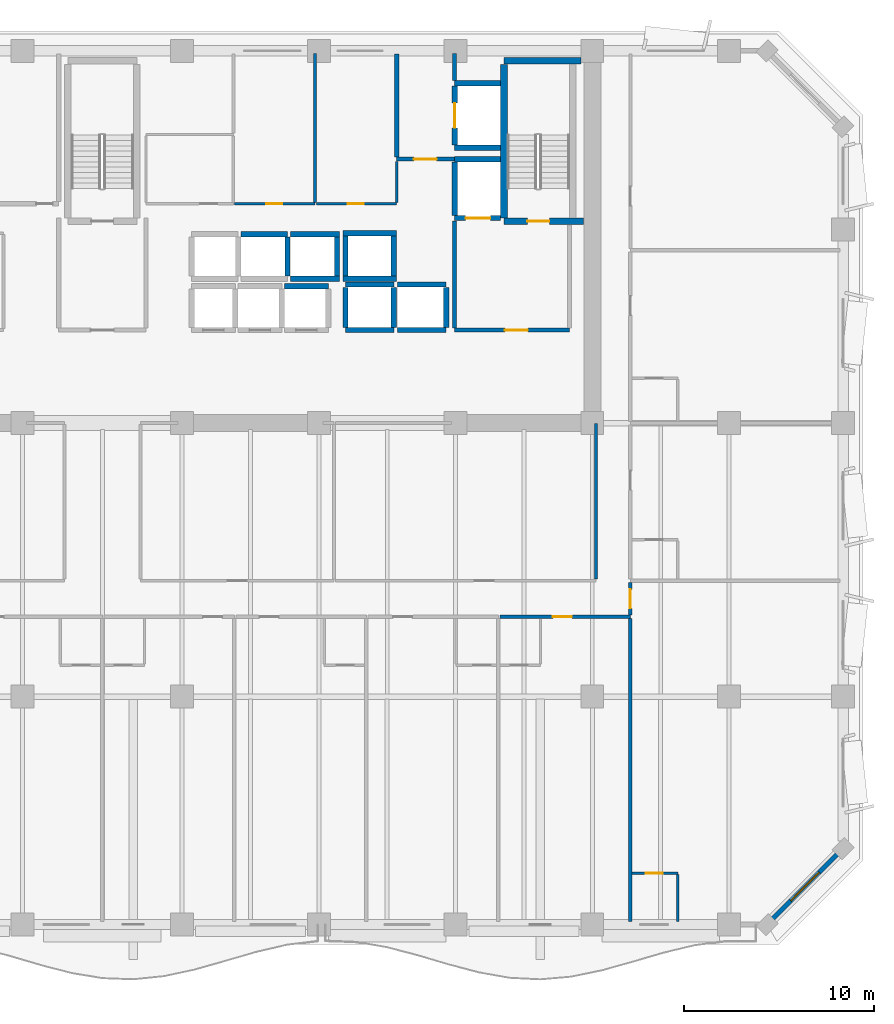
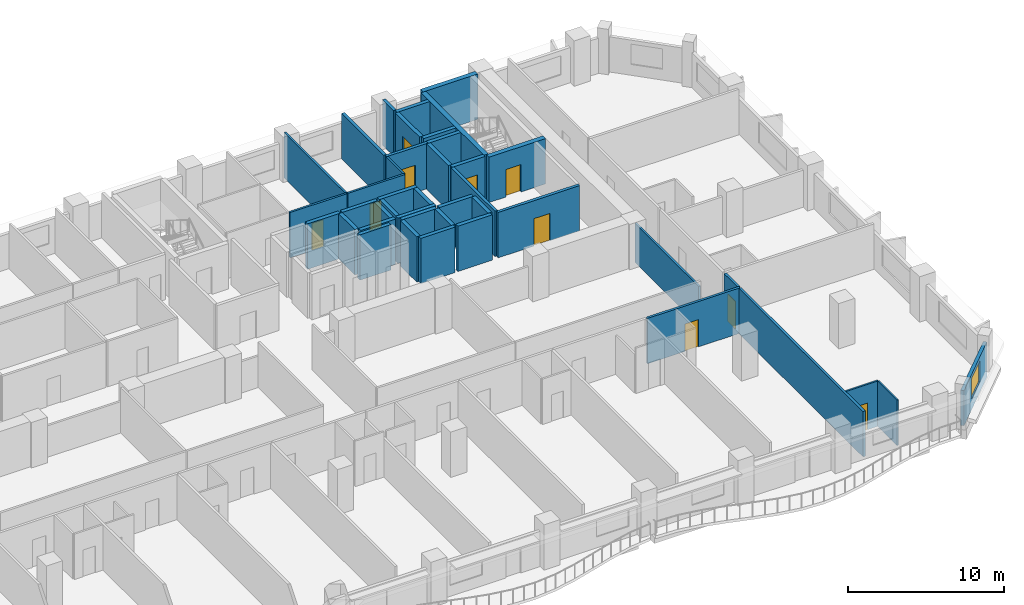
# One storey, part 8 of 14: 42 walls, 10 doors, 1 window, 11 openings.
"""IFC4 building model written with IfcOpenShell, lengths in metres."""

from ifc_helpers import new_model, si_unit, direction, frame, frame_2d, origin, place, context, subcontext, project, spatial, rectangle, extrude, material, layer, layer_set, type_object, element, fill, save


model = new_model("IFC4")

# Units and contexts
model_context = context("Model", 3, precision=1e-05, world=origin(), true_north=direction((0.0, 1.0)))
body_context = subcontext(model_context, "Body", "Model", "MODEL_VIEW")
ifc_project = project(units=[si_unit("LENGTHUNIT", "METRE"), si_unit("AREAUNIT", "SQUARE_METRE"), si_unit("VOLUMEUNIT", "CUBIC_METRE"), si_unit("PLANEANGLEUNIT", "RADIAN"), si_unit("MASSUNIT", "GRAM", prefix="KILO")], contexts=[model_context])

# Site, building, storey
site_placement = place(None, origin())
site = spatial("IfcSite", under=ifc_project, at=site_placement, CompositionType="ELEMENT")
building_placement = place(site_placement, origin())
building = spatial("IfcBuilding", under=site, at=building_placement, Name="Kaelvorn Grand Hotel", CompositionType="ELEMENT")
storey_placement = place(building_placement, frame((0.0, 0.0, 169.550048828125)))
storey = spatial("IfcBuildingStorey", under=building, at=storey_placement, Name="L41", CompositionType="ELEMENT", Elevation=169.550048828125)

# Wall, opening, window
ifc_material_1 = material(Name="Concrete C40/50", Category="concrete")
ifc_layer_1 = layer(ifc_material_1, 0.239990234375)
ifc_layer_set_1 = layer_set([ifc_layer_1], Name="Concrete C40/50")
wall_type_1 = type_object("IfcWallType", Name="WL-EXT-240-C40", PredefinedType="SOLIDWALL", material=ifc_layer_set_1)
wall_1_placement = place(storey_placement, frame((77.0, 3.0, 0.0), z_axis=(0.0, 0.0, 1.0), x_axis=(0.707106781187, 0.707106781187, 0.0)))
wall_1 = element("IfcWall", 1, at=wall_1_placement, inside=storey, type_object=wall_type_1, Name="L41 Exterior Architectural Concrete Wall 02", PredefinedType="SOLIDWALL", context=body_context, shape_type="SweptSolid", body=[
    extrude(rectangle(XDim=5.65673828125, YDim=0.239990234375, at=frame_2d((2.828369140625, 0.0))), origin(), (0.0, 0.0, 1.0), 2.760009765625),
])
opening_1_placement = place(wall_1_placement, frame((1.7783203125, 0.0, 0.85009765625)))
opening_1 = element("IfcOpeningElement", 2, at=opening_1_placement, cuts=wall_1, Name="Opening W7", PredefinedType="OPENING", context=body_context, shape_type="SweptSolid", body=[
    extrude(rectangle(XDim=2.10009765625, YDim=1.60009765625, at=frame_2d((1.050048828125, 0.800048828125))), frame((0.0, 0.1298828125, 0.0), z_axis=(0.0, -1.0, 0.0), x_axis=(1.0, 0.0, 0.0)), (0.0, 0.0, 1.0), 0.260009765625),
])
ifc_material_2 = material(Name="Laminated Low-E Glass", Category="glass")
window_type = type_object("IfcWindowType", Name="WIN-CHM-2100x1600", PartitioningType="SINGLE_PANEL", PredefinedType="WINDOW", material=ifc_material_2)
window_placement = place(opening_1_placement, origin())
window = element("IfcWindow", 3, at=window_placement, inside=storey, type_object=window_type, Name="L41 Chamfered 45-Degree Corner Window SE", OverallHeight=1.60009765625, OverallWidth=2.10009765625, PartitioningType="SINGLE_PANEL", PredefinedType="WINDOW", context=body_context, shape_type="SweptSolid", body=[
    extrude(rectangle(XDim=2.10009765625, YDim=1.60009765625, at=frame_2d((1.050048828125, 0.800048828125))), frame((0.0, 0.030029296875, 0.0), z_axis=(0.0, -1.0, 0.0), x_axis=(1.0, 0.0, 0.0)), (0.0, 0.0, 1.0), 0.06005859375),
])
fill(opening_1, window)

# Wall, opening, door
ifc_material_3 = material(Name="Moisture-Resistant Tile & Stud Board")
ifc_layer_2 = layer(ifc_material_3, 0.125)
ifc_layer_set_2 = layer_set([ifc_layer_2], Name="Moisture-Resistant Tile & Stud Board")
wall_type_2 = type_object("IfcWallType", Name="WL-PART-125-WET", PredefinedType="PARTITIONING", material=ifc_layer_set_2)
wall_2_placement = place(storey_placement, frame((69.89501953125, 5.699951171875, 0.0), z_axis=(0.0, 0.0, 1.0), x_axis=(1.0, 0.0, 0.0)))
wall_2 = element("IfcWall", 4, at=wall_2_placement, inside=storey, type_object=wall_type_2, Name="L41 En-suite Bathroom L41-11 N Partition", PredefinedType="PARTITIONING", context=body_context, shape_type="SweptSolid", body=[
    extrude(rectangle(XDim=2.405029296875, YDim=0.125, at=frame_2d((1.20263671875, 0.0))), origin(), (0.0, 0.0, 1.0), 3.56005859375),
])
opening_2_placement = place(wall_2_placement, frame((0.705078125, 0.0, 0.0)))
opening_2 = element("IfcOpeningElement", 5, at=opening_2_placement, cuts=wall_2, Name="Opening DI4", PredefinedType="OPENING", context=body_context, shape_type="SweptSolid", body=[
    extrude(rectangle(XDim=0.89990234375, YDim=2.10009765625, at=frame_2d((0.449951171875, 1.050048828125))), frame((0.0, 0.072509765625, 0.0), z_axis=(0.0, -1.0, 0.0), x_axis=(1.0, 0.0, 0.0)), (0.0, 0.0, 1.0), 0.14501953125),
])
ifc_material_4 = material(Name="Timber Veneer Leaf", Category="wood")
door_type_1 = type_object("IfcDoorType", Name="DR-INT-BATH-900x2100", OperationType="NOTDEFINED", PredefinedType="DOOR", material=ifc_material_4)
door_1_placement = place(opening_2_placement, origin())
door_1 = element("IfcDoor", 6, at=door_1_placement, inside=storey, type_object=door_type_1, Name="L41 En-suite Bathroom L41-11 Door", OperationType="SINGLE_SWING_RIGHT", OverallHeight=2.10009765625, OverallWidth=0.89990234375, PredefinedType="DOOR", context=body_context, shape_type="SweptSolid", body=[
    extrude(rectangle(XDim=0.89990234375, YDim=2.10009765625, at=frame_2d((0.449951171875, 1.050048828125))), frame((0.0, 0.02490234375, 0.0), z_axis=(0.0, -1.0, 0.0), x_axis=(1.0, 0.0, 0.0)), (0.0, 0.0, 1.0), 0.050048828125),
])
fill(opening_2, door_1)

# Wall
wall_3_placement = place(storey_placement, frame((72.300048828125, 3.14990234375, 0.0), z_axis=(0.0, 0.0, 1.0), x_axis=(0.0, 1.0, 0.0)))
element("IfcWall", 7, at=wall_3_placement, inside=storey, type_object=wall_type_2, Name="L41 En-suite Bathroom L41-11 E Partition", PredefinedType="PARTITIONING", context=body_context, shape_type="SweptSolid", body=[
    extrude(rectangle(XDim=2.482666015625, YDim=0.125, at=frame_2d((1.2412109375, 0.0))), origin(), (0.0, 0.0, 1.0), 3.56005859375),
])

# Wall, opening, door
ifc_material_5 = material(Name="Acoustic Gypsum & Stud Partition")
ifc_layer_3 = layer(ifc_material_5, 0.14990234375)
ifc_layer_set_3 = layer_set([ifc_layer_3], Name="Acoustic Gypsum & Stud Partition")
wall_type_3 = type_object("IfcWallType", Name="WL-PART-150-EI60", PredefinedType="PARTITIONING", material=ifc_layer_set_3)
wall_4_placement = place(storey_placement, frame((48.967529296875, 40.949951171875, 0.0), z_axis=(0.0, 0.0, 1.0), x_axis=(1.0, 0.0, 0.0)))
wall_4 = element("IfcWall", 8, at=wall_4_placement, inside=storey, type_object=wall_type_3, Name="L41 Minibar & Glassware Store S Partition", PredefinedType="PARTITIONING", context=body_context, shape_type="SweptSolid", body=[
    extrude(rectangle(XDim=4.232421875, YDim=0.14990234375, at=frame_2d((2.1162109375, 0.0))), origin(), (0.0, 0.0, 1.0), 3.56005859375),
])
opening_3_placement = place(wall_4_placement, frame((1.657470703125, 0.0, 0.0)))
opening_3 = element("IfcOpeningElement", 9, at=opening_3_placement, cuts=wall_4, Name="Opening DI7", PredefinedType="OPENING", context=body_context, shape_type="SweptSolid", body=[
    extrude(rectangle(XDim=0.85009765625, YDim=2.10009765625, at=frame_2d((0.425048828125, 1.050048828125))), frame((0.0, 0.0849609375, 0.0), z_axis=(0.0, -1.0, 0.0), x_axis=(1.0, 0.0, 0.0)), (0.0, 0.0, 1.0), 0.169921875),
])
ifc_material_6 = material(Name="Powder-Coated Steel Leaf", Category="steel")
door_type_2 = type_object("IfcDoorType", Name="DR-INT-RISER-850x2100", OperationType="NOTDEFINED", PredefinedType="DOOR", material=ifc_material_6)
door_2_placement = place(opening_3_placement, origin())
door_2 = element("IfcDoor", 10, at=door_2_placement, inside=storey, type_object=door_type_2, Name="L41 Minibar & Glassware Store Door", OperationType="SINGLE_SWING_LEFT", OverallHeight=2.10009765625, OverallWidth=0.85009765625, PredefinedType="DOOR", context=body_context, shape_type="SweptSolid", body=[
    extrude(rectangle(XDim=0.85009765625, YDim=2.10009765625, at=frame_2d((0.425048828125, 1.050048828125))), frame((0.0, 0.02490234375, 0.0), z_axis=(0.0, -1.0, 0.0), x_axis=(1.0, 0.0, 0.0)), (0.0, 0.0, 1.0), 0.050048828125),
])
fill(opening_3, door_2)

# Wall
wall_5_placement = place(storey_placement, frame((53.199951171875, 41.030029296875, 0.0), z_axis=(0.0, 0.0, 1.0), x_axis=(0.0, 1.0, 0.0)))
element("IfcWall", 11, at=wall_5_placement, inside=storey, type_object=wall_type_3, Name="L41 Minibar & Glassware Store E Partition", PredefinedType="PARTITIONING", context=body_context, shape_type="SweptSolid", body=[
    extrude(rectangle(XDim=7.820068359375, YDim=0.14990234375, at=frame_2d((3.91015625, 0.0))), origin(), (0.0, 0.0, 1.0), 3.56005859375),
])

# Wall, opening, door
wall_6_placement = place(storey_placement, frame((53.280029296875, 40.949951171875, 0.0), z_axis=(0.0, 0.0, 1.0), x_axis=(1.0, 0.0, 0.0)))
wall_6 = element("IfcWall", 12, at=wall_6_placement, inside=storey, type_object=wall_type_3, Name="L41 Floor IT & Comms Room S Partition", PredefinedType="PARTITIONING", context=body_context, shape_type="SweptSolid", body=[
    extrude(rectangle(XDim=4.219970703125, YDim=0.14990234375, at=frame_2d((2.10986328125, 0.0))), origin(), (0.0, 0.0, 1.0), 3.56005859375),
])
opening_4_placement = place(wall_6_placement, frame((1.64501953125, 0.0, 0.0)))
opening_4 = element("IfcOpeningElement", 13, at=opening_4_placement, cuts=wall_6, Name="Opening DI7", PredefinedType="OPENING", context=body_context, shape_type="SweptSolid", body=[
    extrude(rectangle(XDim=0.85009765625, YDim=2.10009765625, at=frame_2d((0.425048828125, 1.050048828125))), frame((0.0, 0.0849609375, 0.0), z_axis=(0.0, -1.0, 0.0), x_axis=(1.0, 0.0, 0.0)), (0.0, 0.0, 1.0), 0.169921875),
])
door_3_placement = place(opening_4_placement, origin())
door_3 = element("IfcDoor", 14, at=door_3_placement, inside=storey, type_object=door_type_2, Name="L41 Floor IT & Comms Room Door", OperationType="SINGLE_SWING_RIGHT", OverallHeight=2.10009765625, OverallWidth=0.85009765625, PredefinedType="DOOR", context=body_context, shape_type="SweptSolid", body=[
    extrude(rectangle(XDim=0.85009765625, YDim=2.10009765625, at=frame_2d((0.425048828125, 1.050048828125))), frame((0.0, 0.02490234375, 0.0), z_axis=(0.0, -1.0, 0.0), x_axis=(1.0, 0.0, 0.0)), (0.0, 0.0, 1.0), 0.050048828125),
])
fill(opening_4, door_3)

# Walls
wall_7_placement = place(storey_placement, frame((57.5, 41.030029296875, 0.0), z_axis=(0.0, 0.0, 1.0), x_axis=(0.0, 1.0, 0.0)))
element("IfcWall", 15, at=wall_7_placement, inside=storey, type_object=wall_type_3, Name="L41 Floor IT & Comms Room E Partition", PredefinedType="PARTITIONING", context=body_context, shape_type="SweptSolid", body=[
    extrude(rectangle(XDim=2.155029296875, YDim=0.14990234375, at=frame_2d((1.07763671875, 0.0))), origin(), (0.0, 0.0, 1.0), 3.56005859375),
])
wall_8_placement = place(storey_placement, frame((68.0, 21.179931640625, 0.0), z_axis=(0.0, 0.0, 1.0), x_axis=(0.0, 1.0, 0.0)))
element("IfcWall", 16, at=wall_8_placement, inside=storey, type_object=wall_type_3, Name="L41 Executive Meeting Room E Partition", PredefinedType="PARTITIONING", context=body_context, shape_type="SweptSolid", body=[
    extrude(rectangle(XDim=8.2099609375, YDim=0.14990234375, at=frame_2d((4.10498046875, 0.0))), origin(), (0.0, 0.0, 1.0), 3.06005859375),
])

# Wall, opening, door
ifc_layer_4 = layer(ifc_material_5, 0.179931640625)
ifc_layer_set_4 = layer_set([ifc_layer_4], Name="Acoustic Gypsum & Stud Partition")
wall_type_4 = type_object("IfcWallType", Name="WL-PART-180-EI60", PredefinedType="PARTITIONING", material=ifc_layer_set_4)
wall_9_placement = place(storey_placement, frame((62.945068359375, 19.199951171875, 0.0), z_axis=(0.0, 0.0, 1.0), x_axis=(1.0, 0.0, 0.0)))
wall_9 = element("IfcWall", 17, at=wall_9_placement, inside=storey, type_object=wall_type_4, Name="L41 Mid-Rise Signature Suite L41-08 N Partition", PredefinedType="PARTITIONING", context=body_context, shape_type="SweptSolid", body=[
    extrude(rectangle(XDim=6.85498046875, YDim=0.179931640625, at=frame_2d((3.427490234375, 0.0))), origin(), (0.0, 0.0, 1.0), 3.56005859375),
])
opening_5_placement = place(wall_9_placement, frame((2.77490234375, 0.0, 0.0)))
opening_5 = element("IfcOpeningElement", 18, at=opening_5_placement, cuts=wall_9, Name="Opening DI3", PredefinedType="OPENING", context=body_context, shape_type="SweptSolid", body=[
    extrude(rectangle(XDim=1.0, YDim=2.14990234375, at=frame_2d((0.5, 1.074951171875))), frame((0.0, 0.10009765625, 0.0), z_axis=(0.0, -1.0, 0.0), x_axis=(1.0, 0.0, 0.0)), (0.0, 0.0, 1.0), 0.199951171875),
])
ifc_material_7 = material(Name="Timber Veneer Fire Leaf", Category="wood")
door_type_3 = type_object("IfcDoorType", Name="DR-INT-GUEST-1000x2150", OperationType="NOTDEFINED", PredefinedType="DOOR", material=ifc_material_7)
door_4_placement = place(opening_5_placement, origin())
door_4 = element("IfcDoor", 19, at=door_4_placement, inside=storey, type_object=door_type_3, Name="L41 Mid-Rise Signature Suite L41-08 Door", OperationType="SINGLE_SWING_LEFT", OverallHeight=2.14990234375, OverallWidth=1.0, PredefinedType="DOOR", context=body_context, shape_type="SweptSolid", body=[
    extrude(rectangle(XDim=1.0, YDim=2.14990234375, at=frame_2d((0.5, 1.074951171875))), frame((0.0, 0.02490234375, 0.0), z_axis=(0.0, -1.0, 0.0), x_axis=(1.0, 0.0, 0.0)), (0.0, 0.0, 1.0), 0.050048828125),
])
fill(opening_5, door_4)

# Wall
wall_10_placement = place(storey_placement, frame((69.800048828125, 3.14990234375, 0.0), z_axis=(0.0, 0.0, 1.0), x_axis=(0.0, 1.0, 0.0)))
element("IfcWall", 20, at=wall_10_placement, inside=storey, type_object=wall_type_4, Name="L41 Mid-Rise Signature Suite L41-08 E Partition", PredefinedType="PARTITIONING", context=body_context, shape_type="SweptSolid", body=[
    extrude(rectangle(XDim=15.955078125, YDim=0.179931640625, at=frame_2d((7.9775390625, 0.0))), origin(), (0.0, 0.0, 1.0), 3.56005859375),
])

# Wall, opening, door
wall_11_placement = place(storey_placement, frame((69.800048828125, 19.294921875, 0.0), z_axis=(0.0, 0.0, 1.0), x_axis=(0.0, 1.0, 0.0)))
wall_11 = element("IfcWall", 21, at=wall_11_placement, inside=storey, type_object=wall_type_4, Name="L41 South-East Chamfer Suite L41-11 W Partition", PredefinedType="PARTITIONING", context=body_context, shape_type="SweptSolid", body=[
    extrude(rectangle(XDim=1.7099609375, YDim=0.179931640625, at=frame_2d((0.85498046875, 0.0))), origin(), (0.0, 0.0, 1.0), 3.56005859375),
])
opening_6_placement = place(wall_11_placement, frame((0.35498046875, 0.0, 0.0)))
opening_6 = element("IfcOpeningElement", 22, at=opening_6_placement, cuts=wall_11, Name="Opening DI3", PredefinedType="OPENING", context=body_context, shape_type="SweptSolid", body=[
    extrude(rectangle(XDim=1.0, YDim=2.14990234375, at=frame_2d((0.5, 1.074951171875))), frame((0.0, 0.10009765625, 0.0), z_axis=(0.0, -1.0, 0.0), x_axis=(1.0, 0.0, 0.0)), (0.0, 0.0, 1.0), 0.199951171875),
])
door_5_placement = place(opening_6_placement, origin())
door_5 = element("IfcDoor", 23, at=door_5_placement, inside=storey, type_object=door_type_3, Name="L41 South-East Chamfer Suite L41-11 Door", OperationType="SINGLE_SWING_LEFT", OverallHeight=2.14990234375, OverallWidth=1.0, PredefinedType="DOOR", context=body_context, shape_type="SweptSolid", body=[
    extrude(rectangle(XDim=1.0, YDim=2.14990234375, at=frame_2d((0.5, 1.074951171875))), frame((0.0, 0.02490234375, 0.0), z_axis=(0.0, -1.0, 0.0), x_axis=(1.0, 0.0, 0.0)), (0.0, 0.0, 1.0), 0.050048828125),
])
fill(opening_6, door_5)

ifc_layer_5 = layer(ifc_material_1, 0.219970703125)
ifc_layer_set_5 = layer_set([ifc_layer_5], Name="Concrete C40/50")
wall_type_5 = type_object("IfcWallType", Name="WL-PART-220-EI120", PredefinedType="PARTITIONING", material=ifc_layer_set_5)
wall_12_placement = place(storey_placement, frame((60.550048828125, 34.300048828125, 0.0), z_axis=(0.0, 0.0, 1.0), x_axis=(1.0, 0.0, 0.0)))
wall_12 = element("IfcWall", 24, at=wall_12_placement, inside=storey, type_object=wall_type_5, Name="L41 Firefighting Lift Lobby 2 S Partition", PredefinedType="PARTITIONING", context=body_context, shape_type="SweptSolid", body=[
    extrude(rectangle(XDim=6.050048828125, YDim=0.219970703125, at=frame_2d((3.02490234375, 0.0))), origin(), (0.0, 0.0, 1.0), 3.56005859375),
])
opening_7_placement = place(wall_12_placement, frame((2.64990234375, 0.0, 0.0)))
opening_7 = element("IfcOpeningElement", 25, at=opening_7_placement, cuts=wall_12, Name="Opening DI2", PredefinedType="OPENING", context=body_context, shape_type="SweptSolid", body=[
    extrude(rectangle(XDim=1.199951171875, YDim=2.14990234375, at=frame_2d((0.60009765625, 1.074951171875))), frame((0.0, 0.1201171875, 0.0), z_axis=(0.0, -1.0, 0.0), x_axis=(1.0, 0.0, 0.0)), (0.0, 0.0, 1.0), 0.239990234375),
])
door_type_4 = type_object("IfcDoorType", Name="DR-INT-FFLOB-1200x2150", OperationType="NOTDEFINED", PredefinedType="DOOR", material=ifc_material_7)
door_6_placement = place(opening_7_placement, origin())
door_6 = element("IfcDoor", 26, at=door_6_placement, inside=storey, type_object=door_type_4, Name="L41 Firefighting Lift Lobby 2 Door", OperationType="SINGLE_SWING_RIGHT", OverallHeight=2.14990234375, OverallWidth=1.199951171875, PredefinedType="DOOR", context=body_context, shape_type="SweptSolid", body=[
    extrude(rectangle(XDim=1.199951171875, YDim=2.14990234375, at=frame_2d((0.60009765625, 1.074951171875))), frame((0.0, 0.02490234375, 0.0), z_axis=(0.0, -1.0, 0.0), x_axis=(1.0, 0.0, 0.0)), (0.0, 0.0, 1.0), 0.050048828125),
])
fill(opening_7, door_6)

# Wall
wall_13_placement = place(storey_placement, frame((60.550048828125, 34.4150390625, 0.0), z_axis=(0.0, 0.0, 1.0), x_axis=(0.0, 1.0, 0.0)))
element("IfcWall", 27, at=wall_13_placement, inside=storey, type_object=wall_type_5, Name="L41 Firefighting Lift Lobby 2 W Partition", PredefinedType="PARTITIONING", context=body_context, shape_type="SweptSolid", body=[
    extrude(rectangle(XDim=5.639892578125, YDim=0.219970703125, at=frame_2d((2.81982421875, 0.0))), origin(), (0.0, 0.0, 1.0), 3.56005859375),
])

# Wall, opening, door
wall_14_placement = place(storey_placement, frame((57.5, 43.300048828125, 0.0), z_axis=(0.0, 0.0, 1.0), x_axis=(1.0, 0.0, 0.0)))
wall_14 = element("IfcWall", 28, at=wall_14_placement, inside=storey, type_object=wall_type_5, Name="L41 Service Lift Lobby S Partition", PredefinedType="PARTITIONING", context=body_context, shape_type="SweptSolid", body=[
    extrude(rectangle(XDim=3.0400390625, YDim=0.219970703125, at=frame_2d((1.52001953125, 0.0))), origin(), (0.0, 0.0, 1.0), 3.56005859375),
])
opening_8_placement = place(wall_14_placement, frame((0.89990234375, 0.0, 0.0)))
opening_8 = element("IfcOpeningElement", 29, at=opening_8_placement, cuts=wall_14, Name="Opening DI2", PredefinedType="OPENING", context=body_context, shape_type="SweptSolid", body=[
    extrude(rectangle(XDim=1.199951171875, YDim=2.14990234375, at=frame_2d((0.60009765625, 1.074951171875))), frame((0.0, 0.1201171875, 0.0), z_axis=(0.0, -1.0, 0.0), x_axis=(1.0, 0.0, 0.0)), (0.0, 0.0, 1.0), 0.239990234375),
])
door_7_placement = place(opening_8_placement, origin())
door_7 = element("IfcDoor", 30, at=door_7_placement, inside=storey, type_object=door_type_4, Name="L41 Service Lift Lobby Door", OperationType="SINGLE_SWING_RIGHT", OverallHeight=2.14990234375, OverallWidth=1.199951171875, PredefinedType="DOOR", context=body_context, shape_type="SweptSolid", body=[
    extrude(rectangle(XDim=1.199951171875, YDim=2.14990234375, at=frame_2d((0.60009765625, 1.074951171875))), frame((0.0, 0.02490234375, 0.0), z_axis=(0.0, -1.0, 0.0), x_axis=(1.0, 0.0, 0.0)), (0.0, 0.0, 1.0), 0.050048828125),
])
fill(opening_8, door_7)

# Walls
wall_15_placement = place(storey_placement, frame((57.5, 43.4150390625, 0.0), z_axis=(0.0, 0.0, 1.0), x_axis=(0.0, 1.0, 0.0)))
element("IfcWall", 31, at=wall_15_placement, inside=storey, type_object=wall_type_5, Name="L41 Service Lift Lobby W Partition", PredefinedType="PARTITIONING", context=body_context, shape_type="SweptSolid", body=[
    extrude(rectangle(XDim=5.43505859375, YDim=0.219970703125, at=frame_2d((2.717529296875, 0.0))), origin(), (0.0, 0.0, 1.0), 3.56005859375),
])
wall_16_placement = place(storey_placement, frame((60.550048828125, 47.445068359375, 0.0), z_axis=(0.0, 0.0, 1.0), x_axis=(0.0, 1.0, 0.0)))
element("IfcWall", 32, at=wall_16_placement, inside=storey, type_object=wall_type_5, Name="L41 Service Lift Lobby E Partition", PredefinedType="PARTITIONING", context=body_context, shape_type="SweptSolid", body=[
    extrude(rectangle(XDim=1.405029296875, YDim=0.219970703125, at=frame_2d((0.70263671875, 0.0))), origin(), (0.0, 0.0, 1.0), 3.56005859375),
])
ifc_material_8 = material(Name="Concrete C50/60", Category="concrete")
ifc_layer_6 = layer(ifc_material_8, 0.280029296875)
ifc_layer_set_6 = layer_set([ifc_layer_6], Name="Concrete C50/60")
wall_type_6 = type_object("IfcWallType", Name="WL-SHAFT-280-C50", PredefinedType="SHEAR", material=ifc_layer_set_6)
wall_17_placement = place(storey_placement, frame((51.60009765625, 36.60009765625, 0.0), z_axis=(0.0, 0.0, 1.0), x_axis=(1.0, 0.0, 0.0)))
element("IfcWall", 33, at=wall_17_placement, inside=storey, type_object=wall_type_6, Name="L41 Lift PL-M3 Shaft North Wall", PredefinedType="SHEAR", context=body_context, shape_type="SweptSolid", body=[
    extrude(rectangle(XDim=2.2998046875, YDim=0.280029296875, at=frame_2d((1.14990234375, 0.0))), origin(), (0.0, 0.0, 1.0), 3.56005859375),
])
wall_18_placement = place(storey_placement, frame((49.300048828125, 39.35009765625, 0.0), z_axis=(0.0, 0.0, 1.0), x_axis=(1.0, 0.0, 0.0)))
element("IfcWall", 34, at=wall_18_placement, inside=storey, type_object=wall_type_6, Name="L41 Lift SL-2 Shaft North Wall", PredefinedType="SHEAR", context=body_context, shape_type="SweptSolid", body=[
    extrude(rectangle(XDim=2.449951171875, YDim=0.280029296875, at=frame_2d((1.22509765625, 0.0))), origin(), (0.0, 0.0, 1.0), 3.56005859375),
])
wall_19_placement = place(storey_placement, frame((51.75, 37.14501953125, 0.0), z_axis=(0.0, 0.0, 1.0), x_axis=(0.0, 1.0, 0.0)))
element("IfcWall", 35, at=wall_19_placement, inside=storey, type_object=wall_type_6, Name="L41 Lift SL-2 Shaft East Wall", PredefinedType="SHEAR", context=body_context, shape_type="SweptSolid", body=[
    extrude(rectangle(XDim=2.06005859375, YDim=0.280029296875, at=frame_2d((1.030029296875, 0.0))), origin(), (0.0, 0.0, 1.0), 3.56005859375),
])
for number, where, z_axis, x_axis, name in (
    (36, (51.89990234375, 37.0, 0.0), (0.0, 0.0, 1.0), (1.0, 0.0, 0.0), "L41 Lift SL-3 Shaft South Wall"),
    (37, (51.89990234375, 39.35009765625, 0.0), (0.0, 0.0, 1.0), (1.0, 0.0, 0.0), "L41 Lift SL-3 Shaft North Wall"),
):
    element("IfcWall", number, at=place(storey_placement, frame(where, z_axis=z_axis, x_axis=x_axis)), inside=storey, type_object=wall_type_6, Name=name, PredefinedType="SHEAR", context=body_context, shape_type="SweptSolid", body=[
        extrude(rectangle(XDim=2.590087890625, YDim=0.280029296875, at=frame_2d((1.294921875, 0.0))), origin(), (0.0, 0.0, 1.0), 3.56005859375),
    ])
wall_20_placement = place(storey_placement, frame((54.35009765625, 37.14501953125, 0.0), z_axis=(0.0, 0.0, 1.0), x_axis=(0.0, 1.0, 0.0)))
element("IfcWall", 38, at=wall_20_placement, inside=storey, type_object=wall_type_6, Name="L41 Lift SL-3 Shaft East Wall", PredefinedType="SHEAR", context=body_context, shape_type="SweptSolid", body=[
    extrude(rectangle(XDim=2.06005859375, YDim=0.280029296875, at=frame_2d((1.030029296875, 0.0))), origin(), (0.0, 0.0, 1.0), 3.56005859375),
])
for number, where, z_axis, x_axis, name in (
    (39, (54.800048828125, 34.300048828125, 0.0), (0.0, 0.0, 1.0), (1.0, 0.0, 0.0), "L41 Lift OL-1 Shaft South Wall"),
    (40, (54.800048828125, 36.699951171875, 0.0), (0.0, 0.0, 1.0), (1.0, 0.0, 0.0), "L41 Lift OL-1 Shaft North Wall"),
):
    element("IfcWall", number, at=place(storey_placement, frame(where, z_axis=z_axis, x_axis=x_axis)), inside=storey, type_object=wall_type_6, Name=name, PredefinedType="SHEAR", context=body_context, shape_type="SweptSolid", body=[
        extrude(rectangle(XDim=2.550048828125, YDim=0.280029296875, at=frame_2d((1.27490234375, 0.0))), origin(), (0.0, 0.0, 1.0), 3.56005859375),
    ])
for number, where, z_axis, x_axis, name in (
    (41, (54.800048828125, 34.445068359375, 0.0), (0.0, 0.0, 1.0), (0.0, 1.0, 0.0), "L41 Lift OL-1 Shaft West Wall"),
    (42, (57.35009765625, 34.445068359375, 0.0), (0.0, 0.0, 1.0), (0.0, 1.0, 0.0), "L41 Lift OL-1 Shaft East Wall"),
):
    element("IfcWall", number, at=place(storey_placement, frame(where, z_axis=z_axis, x_axis=x_axis)), inside=storey, type_object=wall_type_6, Name=name, PredefinedType="SHEAR", context=body_context, shape_type="SweptSolid", body=[
        extrude(rectangle(XDim=2.10986328125, YDim=0.280029296875, at=frame_2d((1.054931640625, 0.0))), origin(), (0.0, 0.0, 1.0), 3.56005859375),
    ])
for number, where, z_axis, x_axis, name in (
    (43, (57.550048828125, 34.300048828125, 0.0), (0.0, 0.0, 1.0), (1.0, 0.0, 0.0), "L41 Lift OL-2 Shaft South Wall"),
    (44, (57.550048828125, 36.699951171875, 0.0), (0.0, 0.0, 1.0), (1.0, 0.0, 0.0), "L41 Lift OL-2 Shaft North Wall"),
):
    element("IfcWall", number, at=place(storey_placement, frame(where, z_axis=z_axis, x_axis=x_axis)), inside=storey, type_object=wall_type_6, Name=name, PredefinedType="SHEAR", context=body_context, shape_type="SweptSolid", body=[
        extrude(rectangle(XDim=2.550048828125, YDim=0.280029296875, at=frame_2d((1.27490234375, 0.0))), origin(), (0.0, 0.0, 1.0), 3.56005859375),
    ])
wall_21_placement = place(storey_placement, frame((60.10009765625, 34.445068359375, 0.0), z_axis=(0.0, 0.0, 1.0), x_axis=(0.0, 1.0, 0.0)))
element("IfcWall", 45, at=wall_21_placement, inside=storey, type_object=wall_type_6, Name="L41 Lift OL-2 Shaft East Wall", PredefinedType="SHEAR", context=body_context, shape_type="SweptSolid", body=[
    extrude(rectangle(XDim=2.10986328125, YDim=0.280029296875, at=frame_2d((1.054931640625, 0.0))), origin(), (0.0, 0.0, 1.0), 3.56005859375),
])
for number, where, z_axis, x_axis, name in (
    (46, (54.659912109375, 37.0, 0.0), (0.0, 0.0, 1.0), (1.0, 0.0, 0.0), "L41 Lift OL-3 Shaft South Wall"),
    (47, (54.659912109375, 39.39990234375, 0.0), (0.0, 0.0, 1.0), (1.0, 0.0, 0.0), "L41 Lift OL-3 Shaft North Wall"),
):
    element("IfcWall", number, at=place(storey_placement, frame(where, z_axis=z_axis, x_axis=x_axis)), inside=storey, type_object=wall_type_6, Name=name, PredefinedType="SHEAR", context=body_context, shape_type="SweptSolid", body=[
        extrude(rectangle(XDim=2.830078125, YDim=0.280029296875, at=frame_2d((1.4150390625, 0.0))), origin(), (0.0, 0.0, 1.0), 3.56005859375),
    ])
for number, where, z_axis, x_axis, name in (
    (48, (54.800048828125, 37.14501953125, 0.0), (0.0, 0.0, 1.0), (0.0, 1.0, 0.0), "L41 Lift OL-3 Shaft West Wall"),
    (49, (57.35009765625, 37.14501953125, 0.0), (0.0, 0.0, 1.0), (0.0, 1.0, 0.0), "L41 Lift OL-3 Shaft East Wall"),
):
    element("IfcWall", number, at=place(storey_placement, frame(where, z_axis=z_axis, x_axis=x_axis)), inside=storey, type_object=wall_type_6, Name=name, PredefinedType="SHEAR", context=body_context, shape_type="SweptSolid", body=[
        extrude(rectangle(XDim=2.10986328125, YDim=0.280029296875, at=frame_2d((1.054931640625, 0.0))), origin(), (0.0, 0.0, 1.0), 3.56005859375),
    ])

# Wall, opening, door
wall_22_placement = place(storey_placement, frame((60.550048828125, 40.199951171875, 0.0), z_axis=(0.0, 0.0, 1.0), x_axis=(1.0, 0.0, 0.0)))
wall_22 = element("IfcWall", 50, at=wall_22_placement, inside=storey, type_object=wall_type_6, Name="L41 Lift FFL2 Shaft South Wall", PredefinedType="SHEAR", context=body_context, shape_type="SweptSolid", body=[
    extrude(rectangle(XDim=2.4150390625, YDim=0.280029296875, at=frame_2d((1.20751953125, 0.0))), origin(), (0.0, 0.0, 1.0), 3.56005859375),
])
opening_9_placement = place(wall_22_placement, frame((0.574951171875, 0.0, 0.0)))
opening_9 = element("IfcOpeningElement", 51, at=opening_9_placement, cuts=wall_22, Name="Opening LD-FFL2", PredefinedType="OPENING", context=body_context, shape_type="SweptSolid", body=[
    extrude(rectangle(XDim=1.300048828125, YDim=2.300048828125, at=frame_2d((0.64990234375, 1.14990234375))), frame((0.0, 0.14990234375, 0.0), z_axis=(0.0, -1.0, 0.0), x_axis=(1.0, 0.0, 0.0)), (0.0, 0.0, 1.0), 0.300048828125),
])
ifc_material_9 = material(Name="Stainless Steel", Category="steel")
door_type_5 = type_object("IfcDoorType", Name="DR-LIFT-SERV-1300x2300", OperationType="DOUBLE_DOOR_SLIDING", PredefinedType="DOOR", material=ifc_material_9)
door_8_placement = place(opening_9_placement, origin())
door_8 = element("IfcDoor", 52, at=door_8_placement, inside=storey, type_object=door_type_5, Name="L41 Lift FFL2 Sliding Landing Door LD-FFL2", OperationType="DOUBLE_DOOR_SLIDING", OverallHeight=2.300048828125, OverallWidth=1.300048828125, PredefinedType="DOOR", context=body_context, shape_type="SweptSolid", body=[
    extrude(rectangle(XDim=1.300048828125, YDim=2.300048828125, at=frame_2d((0.64990234375, 1.14990234375))), frame((0.0, 0.02490234375, 0.0), z_axis=(0.0, -1.0, 0.0), x_axis=(1.0, 0.0, 0.0)), (0.0, 0.0, 1.0), 0.050048828125),
])
fill(opening_9, door_8)

# Walls
wall_23_placement = place(storey_placement, frame((60.550048828125, 43.300048828125, 0.0), z_axis=(0.0, 0.0, 1.0), x_axis=(1.0, 0.0, 0.0)))
element("IfcWall", 53, at=wall_23_placement, inside=storey, type_object=wall_type_6, Name="L41 Lift FFL2 Shaft North Wall", PredefinedType="SHEAR", context=body_context, shape_type="SweptSolid", body=[
    extrude(rectangle(XDim=2.4150390625, YDim=0.280029296875, at=frame_2d((1.20751953125, 0.0))), origin(), (0.0, 0.0, 1.0), 3.56005859375),
])
wall_24_placement = place(storey_placement, frame((60.550048828125, 40.344970703125, 0.0), z_axis=(0.0, 0.0, 1.0), x_axis=(0.0, 1.0, 0.0)))
element("IfcWall", 54, at=wall_24_placement, inside=storey, type_object=wall_type_6, Name="L41 Lift FFL2 Shaft West Wall", PredefinedType="SHEAR", context=body_context, shape_type="SweptSolid", body=[
    extrude(rectangle(XDim=2.81005859375, YDim=0.280029296875, at=frame_2d((1.405029296875, 0.0))), origin(), (0.0, 0.0, 1.0), 3.56005859375),
])
for number, where, z_axis, x_axis, name in (
    (55, (60.550048828125, 43.89990234375, 0.0), (0.0, 0.0, 1.0), (1.0, 0.0, 0.0), "L41 Lift SV1 Shaft South Wall"),
    (56, (60.550048828125, 47.300048828125, 0.0), (0.0, 0.0, 1.0), (1.0, 0.0, 0.0), "L41 Lift SV1 Shaft North Wall"),
):
    element("IfcWall", number, at=place(storey_placement, frame(where, z_axis=z_axis, x_axis=x_axis)), inside=storey, type_object=wall_type_6, Name=name, PredefinedType="SHEAR", context=body_context, shape_type="SweptSolid", body=[
        extrude(rectangle(XDim=2.4150390625, YDim=0.280029296875, at=frame_2d((1.20751953125, 0.0))), origin(), (0.0, 0.0, 1.0), 3.56005859375),
    ])

# Wall, opening, door
wall_25_placement = place(storey_placement, frame((60.550048828125, 44.044921875, 0.0), z_axis=(0.0, 0.0, 1.0), x_axis=(0.0, 1.0, 0.0)))
wall_25 = element("IfcWall", 57, at=wall_25_placement, inside=storey, type_object=wall_type_6, Name="L41 Lift SV1 Shaft West Wall", PredefinedType="SHEAR", context=body_context, shape_type="SweptSolid", body=[
    extrude(rectangle(XDim=3.110107421875, YDim=0.280029296875, at=frame_2d((1.55517578125, 0.0))), origin(), (0.0, 0.0, 1.0), 3.56005859375),
])
opening_10_placement = place(wall_25_placement, frame((0.905029296875, 0.0, 0.0)))
opening_10 = element("IfcOpeningElement", 58, at=opening_10_placement, cuts=wall_25, Name="Opening LD-SV1", PredefinedType="OPENING", context=body_context, shape_type="SweptSolid", body=[
    extrude(rectangle(XDim=1.300048828125, YDim=2.300048828125, at=frame_2d((0.64990234375, 1.14990234375))), frame((0.0, 0.14990234375, 0.0), z_axis=(0.0, -1.0, 0.0), x_axis=(1.0, 0.0, 0.0)), (0.0, 0.0, 1.0), 0.300048828125),
])
door_9_placement = place(opening_10_placement, origin())
door_9 = element("IfcDoor", 59, at=door_9_placement, inside=storey, type_object=door_type_5, Name="L41 Lift SV1 Sliding Landing Door LD-SV1", OperationType="DOUBLE_DOOR_SLIDING", OverallHeight=2.300048828125, OverallWidth=1.300048828125, PredefinedType="DOOR", context=body_context, shape_type="SweptSolid", body=[
    extrude(rectangle(XDim=1.300048828125, YDim=2.300048828125, at=frame_2d((0.64990234375, 1.14990234375))), frame((0.0, 0.02490234375, 0.0), z_axis=(0.0, -1.0, 0.0), x_axis=(1.0, 0.0, 0.0)), (0.0, 0.0, 1.0), 0.050048828125),
])
fill(opening_10, door_9)

ifc_material_10 = material(Name="Concrete C60/75", Category="concrete")
ifc_layer_7 = layer(ifc_material_10, 0.35009765625)
ifc_layer_set_7 = layer_set([ifc_layer_7], Name="Concrete C60/75")
wall_type_7 = type_object("IfcWallType", Name="WL-SHAFT-350-C60", PredefinedType="SHEAR", material=ifc_layer_set_7)
wall_26_placement = place(storey_placement, frame((63.14501953125, 40.02490234375, 0.0), z_axis=(0.0, 0.0, 1.0), x_axis=(1.0, 0.0, 0.0)))
wall_26 = element("IfcWall", 60, at=wall_26_placement, inside=storey, type_object=wall_type_7, Name="L41 ST3 Stair Shaft South Wall", PredefinedType="SHEAR", context=body_context, shape_type="SweptSolid", body=[
    extrude(rectangle(XDim=4.199951171875, YDim=0.35009765625, at=frame_2d((2.10009765625, 0.0))), origin(), (0.0, 0.0, 1.0), 3.56005859375),
])
opening_11_placement = place(wall_26_placement, frame((1.239990234375, 0.0, 0.0)))
opening_11 = element("IfcOpeningElement", 61, at=opening_11_placement, cuts=wall_26, Name="Opening DI1", PredefinedType="OPENING", context=body_context, shape_type="SweptSolid", body=[
    extrude(rectangle(XDim=1.14990234375, YDim=2.14990234375, at=frame_2d((0.574951171875, 1.074951171875))), frame((0.0, 0.18505859375, 0.0), z_axis=(0.0, -1.0, 0.0), x_axis=(1.0, 0.0, 0.0)), (0.0, 0.0, 1.0), 0.3701171875),
])
door_type_6 = type_object("IfcDoorType", Name="DR-INT-STAIR-1150x2150", OperationType="NOTDEFINED", PredefinedType="DOOR", material=ifc_material_7)
door_10_placement = place(opening_11_placement, origin())
door_10 = element("IfcDoor", 62, at=door_10_placement, inside=storey, type_object=door_type_6, Name="L41 ST3 Exit Stair Fire Door", OperationType="SINGLE_SWING_RIGHT", OverallHeight=2.14990234375, OverallWidth=1.14990234375, PredefinedType="DOOR", context=body_context, shape_type="SweptSolid", body=[
    extrude(rectangle(XDim=1.14990234375, YDim=2.14990234375, at=frame_2d((0.574951171875, 1.074951171875))), frame((0.0, 0.02490234375, 0.0), z_axis=(0.0, -1.0, 0.0), x_axis=(1.0, 0.0, 0.0)), (0.0, 0.0, 1.0), 0.050048828125),
])
fill(opening_11, door_10)

# Walls
wall_27_placement = place(storey_placement, frame((63.14501953125, 48.47509765625, 0.0), z_axis=(0.0, 0.0, 1.0), x_axis=(1.0, 0.0, 0.0)))
element("IfcWall", 63, at=wall_27_placement, inside=storey, type_object=wall_type_7, Name="L41 ST3 Stair Shaft North Wall", PredefinedType="SHEAR", context=body_context, shape_type="SweptSolid", body=[
    extrude(rectangle(XDim=4.050048828125, YDim=0.35009765625, at=frame_2d((2.02490234375, 0.0))), origin(), (0.0, 0.0, 1.0), 3.56005859375),
])
wall_28_placement = place(storey_placement, frame((63.14501953125, 40.205078125, 0.0), z_axis=(0.0, 0.0, 1.0), x_axis=(0.0, 1.0, 0.0)))
element("IfcWall", 64, at=wall_28_placement, inside=storey, type_object=wall_type_7, Name="L41 ST3 Stair Shaft West Wall", PredefinedType="SHEAR", context=body_context, shape_type="SweptSolid", body=[
    extrude(rectangle(XDim=8.08984375, YDim=0.35009765625, at=frame_2d((4.044921875, 0.0))), origin(), (0.0, 0.0, 1.0), 3.56005859375),
])

save(model, "model.ifc")
